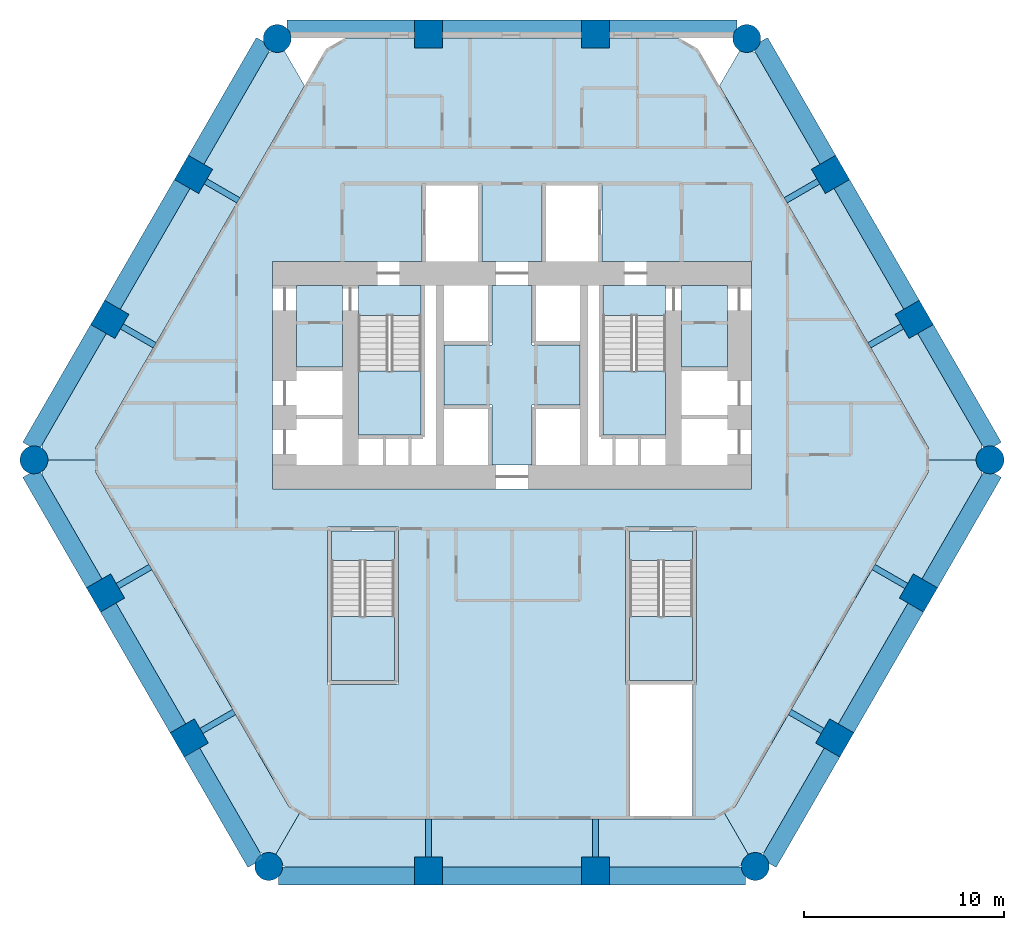
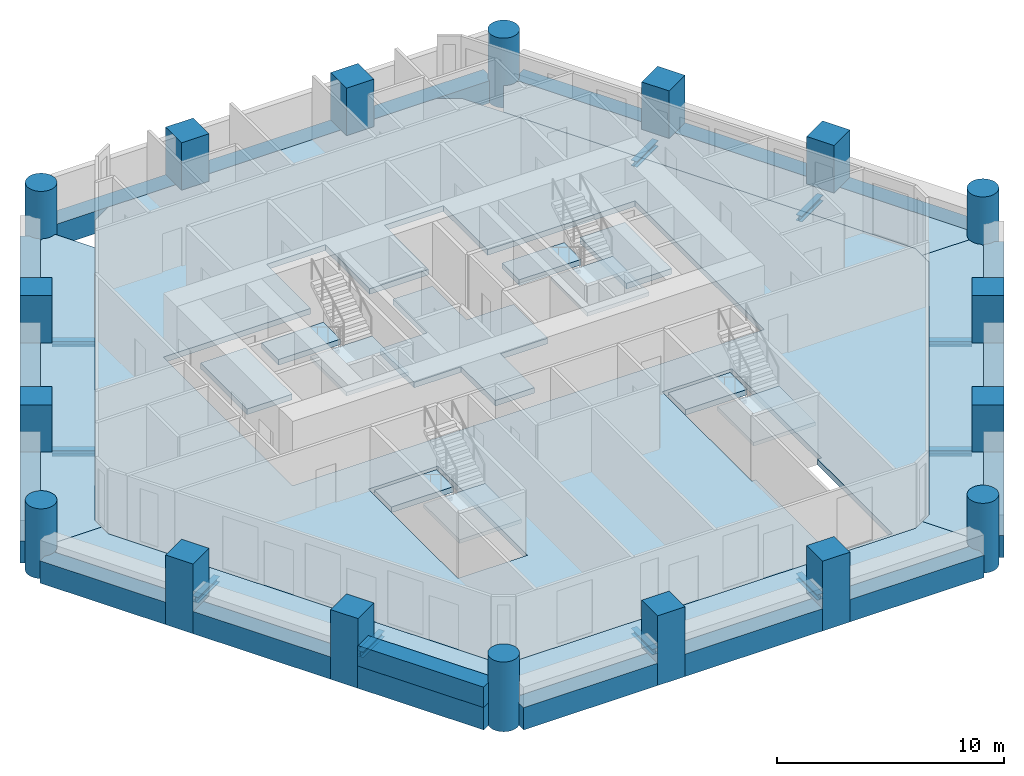
# One storey, part 1 of 8: 28 beams, 18 columns, 17 slabs, 1 wall, 4 elements without a shape of their own.
"""IFC4 building model written with IfcOpenShell, lengths in metres."""

from ifc_helpers import new_model, si_unit, direction, frame, frame_2d, origin, origin_2d, place, context, subcontext, project, spatial, polyline, rectangle, circle, i_section, outline, extrude, material, layer, layer_set, material_profile, profile_set, type_object, element, aggregate, save


model = new_model("IFC4")

# Units and contexts
model_context = context("Model", 3, precision=1e-05, world=origin(), true_north=direction((0.0, 1.0)))
body_context = subcontext(model_context, "Body", "Model", "MODEL_VIEW")
ifc_project = project(units=[si_unit("LENGTHUNIT", "METRE"), si_unit("AREAUNIT", "SQUARE_METRE"), si_unit("VOLUMEUNIT", "CUBIC_METRE"), si_unit("PLANEANGLEUNIT", "RADIAN"), si_unit("MASSUNIT", "GRAM", prefix="KILO")], contexts=[model_context])

# Site, building, storey
site_placement = place(None, origin())
site = spatial("IfcSite", under=ifc_project, at=site_placement, CompositionType="ELEMENT")
building_placement = place(site_placement, origin())
building = spatial("IfcBuilding", under=site, at=building_placement, Name="Ostrander Bayou Hotel Tower", CompositionType="ELEMENT")
storey_placement = place(building_placement, frame((0.0, 0.0, 43.0)))
storey = spatial("IfcBuildingStorey", under=building, at=storey_placement, Name="L10", CompositionType="ELEMENT", Elevation=43.0)

# Columns
ifc_material_1 = material(Name="Concrete f'c 70 MPa", Category="concrete")
ifc_material_profile_1 = material_profile(ifc_material_1, circle(Radius=0.699951171875, at=origin_2d()))
ifc_profile_set_1 = profile_set([ifc_material_profile_1], Name="Concrete f'c 70 MPa")
column_type_1 = type_object("IfcColumnType", Name="C1 round column 1400 mm f'c 70 MPa", PredefinedType="COLUMN", material=ifc_profile_set_1)
for number, where, z_axis, x_axis, name in (
    (1, (-11.76708984375, 20.872314453125, -1.199951171875), (0.0, 0.0, 1.0), (1.0, 0.0, 0.0), "C1 L10 K0"),
    (2, (-23.95947265625, -0.24560546875, -1.199951171875), (0.0, 0.0, 1.0), (1.0, 0.0, 0.0), "C1 L10 K1"),
    (3, (-12.1923828125, -20.626708984375, -1.199951171875), (0.0, 0.0, 1.0), (1.0, 0.0, 0.0), "C1 L10 K2"),
    (4, (12.1923828125, -20.626708984375, -1.199951171875), (0.0, 0.0, 1.0), (1.0, 0.0, 0.0), "C1 L10 K3"),
    (5, (23.95947265625, -0.24560546875, -1.199951171875), (0.0, 0.0, 1.0), (1.0, 0.0, 0.0), "C1 L10 K4"),
    (6, (11.76708984375, 20.872314453125, -1.199951171875), (0.0, 0.0, 1.0), (1.0, 0.0, 0.0), "C1 L10 K5"),
):
    element("IfcColumn", number, at=place(storey_placement, frame(where, z_axis=z_axis, x_axis=x_axis)), inside=storey, type_object=column_type_1, Name=name, PredefinedType="COLUMN", context=body_context, shape_type="SweptSolid", body=[
        extrude(circle(Radius=0.699951171875, at=origin_2d()), origin(), (0.0, 0.0, 1.0), 3.75),
    ])
ifc_material_2 = material(Name="Concrete f'c 70 MPa", Category="concrete")
ifc_material_profile_2 = material_profile(ifc_material_2, rectangle(XDim=1.39990234375, YDim=1.39990234375, at=origin_2d()))
ifc_profile_set_2 = profile_set([ifc_material_profile_2], Name="Concrete f'c 70 MPa")
column_type_2 = type_object("IfcColumnType", Name="C2 square column 1400 x 1400 mm f'c 70 MPa", PredefinedType="COLUMN", material=ifc_profile_set_2)
for number, where, z_axis, x_axis, name in (
    (7, (4.1953125, 21.10009765625, -1.199951171875), (0.0, 0.0, 1.0), (1.0, 0.0, 0.0), "C2 L10 N1"),
    (8, (-4.1953125, 21.10009765625, -1.199951171875), (0.0, 0.0, 1.0), (1.0, 0.0, 0.0), "C2 L10 N2"),
    (9, (-15.962890625, 14.060546875, -1.199951171875), (0.0, 0.0, 1.0), (0.5, 0.866025403784, 0.0), "C2 L10 NW1"),
    (10, (-20.158203125, 6.7939453125, -1.199951171875), (0.0, 0.0, 1.0), (0.5, 0.866025403784, 0.0), "C2 L10 NW2"),
    (11, (-20.370849609375, -6.916748046875, -1.199951171875), (0.0, 0.0, 1.0), (-0.5, 0.866025403784, 0.0), "C2 L10 SW1"),
    (12, (-16.17529296875, -14.183349609375, -1.199951171875), (0.0, 0.0, 1.0), (-0.5, 0.866025403784, 0.0), "C2 L10 SW2"),
    (13, (-4.1953125, -20.8544921875, -1.199951171875), (0.0, 0.0, 1.0), (-1.0, 0.0, 0.0), "C2 L10 S1"),
    (14, (4.1953125, -20.8544921875, -1.199951171875), (0.0, 0.0, 1.0), (-1.0, 0.0, 0.0), "C2 L10 S2"),
    (15, (16.17529296875, -14.183349609375, -1.199951171875), (0.0, 0.0, 1.0), (-0.5, -0.866025403784, 0.0), "C2 L10 SE1"),
    (16, (20.370849609375, -6.916748046875, -1.199951171875), (0.0, 0.0, 1.0), (-0.5, -0.866025403784, 0.0), "C2 L10 SE2"),
    (17, (20.158203125, 6.7939453125, -1.199951171875), (0.0, 0.0, 1.0), (0.5, -0.866025403784, 0.0), "C2 L10 NE1"),
    (18, (15.962890625, 14.060546875, -1.199951171875), (0.0, 0.0, 1.0), (0.5, -0.866025403784, 0.0), "C2 L10 NE2"),
):
    element("IfcColumn", number, at=place(storey_placement, frame(where, z_axis=z_axis, x_axis=x_axis)), inside=storey, type_object=column_type_2, Name=name, PredefinedType="COLUMN", context=body_context, shape_type="SweptSolid", body=[
        extrude(rectangle(XDim=1.39990234375, YDim=1.39990234375, at=origin_2d()), origin(), (0.0, 0.0, 1.0), 3.75),
    ])

# Beams
ifc_material_3 = material(Name="Steel ASTM A992", Category="steel")
ifc_material_profile_3 = material_profile(ifc_material_3, i_section(OverallWidth=0.3046875, OverallDepth=0.307861328125, WebThickness=0.010009765625, FlangeThickness=0.015380859375, at=origin_2d()))
ifc_profile_set_3 = profile_set([ifc_material_profile_3], Name="Steel ASTM A992")
beam_type_1 = type_object("IfcBeamType", Name="LB1 loggia bracket W12x65", PredefinedType="BEAM", material=ifc_profile_set_3)
for number, where, z_axis, x_axis, name in (
    (19, (-15.356689453125, 13.710693359375, -0.453857421875), (0.865988727248, -0.500063520245, 0.0), (0.500063520245, 0.865988727248, 0.0), "LB1 L10 NW1"),
    (20, (-19.552001953125, 6.44384765625, -0.453857421875), (0.866044365799, -0.499967155389, 0.0), (0.499967155389, 0.866044365799, 0.0), "LB1 L10 NW2"),
    (21, (-19.7646484375, -6.566650390625, -0.453857421875), (0.866044365799, 0.499967155389, 0.0), (-0.499967155389, 0.866044365799, 0.0), "LB1 L10 SW1"),
):
    element("IfcBeam", number, at=place(storey_placement, frame(where, z_axis=z_axis, x_axis=x_axis)), inside=storey, type_object=beam_type_1, Name=name, PredefinedType="BEAM", context=body_context, shape_type="SweptSolid", body=[
        extrude(i_section(OverallWidth=0.3046875, OverallDepth=0.307861328125, WebThickness=0.010009765625, FlangeThickness=0.015380859375, at=origin_2d()), origin(), (0.0, 0.0, 1.0), 1.900146484375),
    ])
beam_1_placement = place(storey_placement, frame((-15.569091796875, -13.833251953125, -0.453857421875), z_axis=(0.86601224135, 0.500022797313, 0.0), x_axis=(-0.500022797313, 0.86601224135, 0.0)))
element("IfcBeam", 22, at=beam_1_placement, inside=storey, type_object=beam_type_1, Name="LB1 L10 SW2", PredefinedType="BEAM", context=body_context, shape_type="SweptSolid", body=[
    extrude(i_section(OverallWidth=0.3046875, OverallDepth=0.307861328125, WebThickness=0.010009765625, FlangeThickness=0.015380859375, at=origin_2d()), origin(), (0.0, 0.0, 1.0), 1.89990234375),
])
for number, where, z_axis, x_axis, name in (
    (23, (-4.1953125, -20.154541015625, -0.453857421875), (0.0, 1.0, 0.0), (-1.0, 0.0, 0.0), "LB1 L10 S1"),
    (24, (4.1953125, -20.154541015625, -0.453857421875), (0.0, 1.0, 0.0), (-1.0, 0.0, 0.0), "LB1 L10 S2"),
):
    element("IfcBeam", number, at=place(storey_placement, frame(where, z_axis=z_axis, x_axis=x_axis)), inside=storey, type_object=beam_type_1, Name=name, PredefinedType="BEAM", context=body_context, shape_type="SweptSolid", body=[
        extrude(i_section(OverallWidth=0.3046875, OverallDepth=0.307861328125, WebThickness=0.010009765625, FlangeThickness=0.015380859375, at=origin_2d()), origin(), (0.0, 0.0, 1.0), 1.900146484375),
    ])
beam_2_placement = place(storey_placement, frame((15.569091796875, -13.833251953125, -0.453857421875), z_axis=(-0.86601224135, 0.500022797313, 0.0), x_axis=(-0.500022797313, -0.86601224135, 0.0)))
element("IfcBeam", 25, at=beam_2_placement, inside=storey, type_object=beam_type_1, Name="LB1 L10 SE1", PredefinedType="BEAM", context=body_context, shape_type="SweptSolid", body=[
    extrude(i_section(OverallWidth=0.3046875, OverallDepth=0.307861328125, WebThickness=0.010009765625, FlangeThickness=0.015380859375, at=origin_2d()), origin(), (0.0, 0.0, 1.0), 1.89990234375),
])
for number, where, z_axis, x_axis, name in (
    (26, (19.7646484375, -6.566650390625, -0.453857421875), (-0.866044365799, 0.499967155389, 0.0), (-0.499967155389, -0.866044365799, 0.0), "LB1 L10 SE2"),
    (27, (19.552001953125, 6.44384765625, -0.453857421875), (-0.866044365799, -0.499967155389, 0.0), (0.499967155389, -0.866044365799, 0.0), "LB1 L10 NE1"),
    (28, (15.356689453125, 13.710693359375, -0.453857421875), (-0.865988727248, -0.500063520245, 0.0), (0.500063520245, -0.865988727248, 0.0), "LB1 L10 NE2"),
):
    element("IfcBeam", number, at=place(storey_placement, frame(where, z_axis=z_axis, x_axis=x_axis)), inside=storey, type_object=beam_type_1, Name=name, PredefinedType="BEAM", context=body_context, shape_type="SweptSolid", body=[
        extrude(i_section(OverallWidth=0.3046875, OverallDepth=0.307861328125, WebThickness=0.010009765625, FlangeThickness=0.015380859375, at=origin_2d()), origin(), (0.0, 0.0, 1.0), 1.900146484375),
    ])
ifc_material_4 = material(Name="Concrete f'c 70 MPa", Category="concrete")
ifc_material_profile_4 = material_profile(ifc_material_4, rectangle(XDim=0.89990234375, YDim=1.199951171875, at=origin_2d()))
ifc_profile_set_4 = profile_set([ifc_material_profile_4], Name="Concrete f'c 70 MPa")
beam_type_2 = type_object("IfcBeamType", Name="SP1 spandrel beam 900 x 1200 mm f'c 70 MPa", PredefinedType="SPANDREL", material=ifc_profile_set_4)
beam_3_placement = place(storey_placement, frame((11.285400390625, 21.35009765625, -0.60009765625), z_axis=(-1.0, 0.0, 0.0), x_axis=(0.0, -1.0, 0.0)))
element("IfcBeam", 29, at=beam_3_placement, inside=storey, type_object=beam_type_2, Name="SP1 L10 N-1", PredefinedType="SPANDREL", context=body_context, shape_type="SweptSolid", body=[
    extrude(rectangle(XDim=0.89990234375, YDim=1.199951171875, at=origin_2d()), origin(), (0.0, 0.0, 1.0), 6.419921875),
])
beam_4_placement = place(storey_placement, frame((3.525390625, 21.35009765625, -0.60009765625), z_axis=(-1.0, 0.0, 0.0), x_axis=(0.0, -1.0, 0.0)))
element("IfcBeam", 30, at=beam_4_placement, inside=storey, type_object=beam_type_2, Name="SP1 L10 N-2", PredefinedType="SPANDREL", context=body_context, shape_type="SweptSolid", body=[
    extrude(rectangle(XDim=0.89990234375, YDim=1.199951171875, at=origin_2d()), origin(), (0.0, 0.0, 1.0), 7.05078125),
])
beam_5_placement = place(storey_placement, frame((-4.865478515625, 21.35009765625, -0.60009765625), z_axis=(-1.0, 0.0, 0.0), x_axis=(0.0, -1.0, 0.0)))
element("IfcBeam", 31, at=beam_5_placement, inside=storey, type_object=beam_type_2, Name="SP1 L10 N-3", PredefinedType="SPANDREL", context=body_context, shape_type="SweptSolid", body=[
    extrude(rectangle(XDim=0.89990234375, YDim=1.199951171875, at=origin_2d()), origin(), (0.0, 0.0, 1.0), 6.419921875),
])
beam_6_placement = place(storey_placement, frame((-12.421630859375, 20.694091796875, -0.60009765625), z_axis=(-0.499994135611, -0.866028789565, 0.0), x_axis=(0.866028789565, -0.499994135611, 0.0)))
element("IfcBeam", 32, at=beam_6_placement, inside=storey, type_object=beam_type_2, Name="SP1 L10 NW-1", PredefinedType="SPANDREL", context=body_context, shape_type="SweptSolid", body=[
    extrude(rectangle(XDim=0.89990234375, YDim=1.199951171875, at=origin_2d()), origin(), (0.0, 0.0, 1.0), 6.84521484375),
])
beam_7_placement = place(storey_placement, frame((-16.514404296875, 13.60546875, -0.60009765625), z_axis=(-0.499997206141, -0.866027016814, 0.0), x_axis=(0.866027016814, -0.499997206141, 0.0)))
element("IfcBeam", 33, at=beam_7_placement, inside=storey, type_object=beam_type_2, Name="SP1 L10 NW-2", PredefinedType="SPANDREL", context=body_context, shape_type="SweptSolid", body=[
    extrude(rectangle(XDim=0.89990234375, YDim=1.199951171875, at=origin_2d()), origin(), (0.0, 0.0, 1.0), 7.05078125),
])
beam_8_placement = place(storey_placement, frame((-20.709716796875, 6.338623046875, -0.60009765625), z_axis=(-0.499994135611, -0.866028789565, 0.0), x_axis=(0.866028789565, -0.499994135611, 0.0)))
element("IfcBeam", 34, at=beam_8_placement, inside=storey, type_object=beam_type_2, Name="SP1 L10 NW-3", PredefinedType="SPANDREL", context=body_context, shape_type="SweptSolid", body=[
    extrude(rectangle(XDim=0.89990234375, YDim=1.199951171875, at=origin_2d()), origin(), (0.0, 0.0, 1.0), 6.84521484375),
])
beam_9_placement = place(storey_placement, frame((-24.13232421875, -0.9013671875, -0.60009765625), z_axis=(0.499983599745, -0.866034872269, 0.0), x_axis=(0.866034872269, 0.499983599745, 0.0)))
element("IfcBeam", 35, at=beam_9_placement, inside=storey, type_object=beam_type_2, Name="SP1 L10 SW-1", PredefinedType="SPANDREL", context=body_context, shape_type="SweptSolid", body=[
    extrude(rectangle(XDim=0.89990234375, YDim=1.199951171875, at=origin_2d()), origin(), (0.0, 0.0, 1.0), 6.420166015625),
])
beam_10_placement = place(storey_placement, frame((-20.252197265625, -7.621826171875, -0.60009765625), z_axis=(0.499997206141, -0.866027016814, 0.0), x_axis=(0.866027016814, 0.499997206141, 0.0)))
element("IfcBeam", 36, at=beam_10_placement, inside=storey, type_object=beam_type_2, Name="SP1 L10 SW-2", PredefinedType="SPANDREL", context=body_context, shape_type="SweptSolid", body=[
    extrude(rectangle(XDim=0.89990234375, YDim=1.199951171875, at=origin_2d()), origin(), (0.0, 0.0, 1.0), 7.05078125),
])
beam_11_placement = place(storey_placement, frame((-16.056884765625, -14.888671875, -0.60009765625), z_axis=(0.500000066162, -0.866025365586, 0.0), x_axis=(0.866025365586, 0.500000066162, 0.0)))
element("IfcBeam", 37, at=beam_11_placement, inside=storey, type_object=beam_type_2, Name="SP1 L10 SW-3", PredefinedType="SPANDREL", context=body_context, shape_type="SweptSolid", body=[
    extrude(rectangle(XDim=0.89990234375, YDim=1.199951171875, at=origin_2d()), origin(), (0.0, 0.0, 1.0), 6.419921875),
])
beam_12_placement = place(storey_placement, frame((-11.710693359375, -21.1044921875, -0.60009765625), z_axis=(1.0, 0.0, 0.0), x_axis=(0.0, 1.0, 0.0)))
element("IfcBeam", 38, at=beam_12_placement, inside=storey, type_object=beam_type_2, Name="SP1 L10 S-1", PredefinedType="SPANDREL", context=body_context, shape_type="SweptSolid", body=[
    extrude(rectangle(XDim=0.89990234375, YDim=1.199951171875, at=origin_2d()), origin(), (0.0, 0.0, 1.0), 6.84521484375),
])
beam_13_placement = place(storey_placement, frame((-3.525390625, -21.1044921875, -0.60009765625), z_axis=(1.0, 0.0, 0.0), x_axis=(0.0, 1.0, 0.0)))
element("IfcBeam", 39, at=beam_13_placement, inside=storey, type_object=beam_type_2, Name="SP1 L10 S-2", PredefinedType="SPANDREL", context=body_context, shape_type="SweptSolid", body=[
    extrude(rectangle(XDim=0.89990234375, YDim=1.199951171875, at=origin_2d()), origin(), (0.0, 0.0, 1.0), 7.05078125),
])
beam_14_placement = place(storey_placement, frame((4.865478515625, -21.1044921875, -0.60009765625), z_axis=(1.0, 0.0, 0.0), x_axis=(0.0, 1.0, 0.0)))
element("IfcBeam", 40, at=beam_14_placement, inside=storey, type_object=beam_type_2, Name="SP1 L10 S-3", PredefinedType="SPANDREL", context=body_context, shape_type="SweptSolid", body=[
    extrude(rectangle(XDim=0.89990234375, YDim=1.199951171875, at=origin_2d()), origin(), (0.0, 0.0, 1.0), 6.84521484375),
])
beam_15_placement = place(storey_placement, frame((12.846923828125, -20.448486328125, -0.60009765625), z_axis=(0.500000066162, 0.866025365586, 0.0), x_axis=(-0.866025365586, 0.500000066162, 0.0)))
element("IfcBeam", 41, at=beam_15_placement, inside=storey, type_object=beam_type_2, Name="SP1 L10 SE-1", PredefinedType="SPANDREL", context=body_context, shape_type="SweptSolid", body=[
    extrude(rectangle(XDim=0.89990234375, YDim=1.199951171875, at=origin_2d()), origin(), (0.0, 0.0, 1.0), 6.419921875),
])
beam_16_placement = place(storey_placement, frame((16.726806640625, -13.72802734375, -0.60009765625), z_axis=(0.499997206141, 0.866027016814, 0.0), x_axis=(-0.866027016814, 0.499997206141, 0.0)))
element("IfcBeam", 42, at=beam_16_placement, inside=storey, type_object=beam_type_2, Name="SP1 L10 SE-2", PredefinedType="SPANDREL", context=body_context, shape_type="SweptSolid", body=[
    extrude(rectangle(XDim=0.89990234375, YDim=1.199951171875, at=origin_2d()), origin(), (0.0, 0.0, 1.0), 7.05078125),
])
beam_17_placement = place(storey_placement, frame((20.92236328125, -6.46142578125, -0.60009765625), z_axis=(0.499983599745, 0.866034872269, 0.0), x_axis=(-0.866034872269, 0.499983599745, 0.0)))
element("IfcBeam", 43, at=beam_17_placement, inside=storey, type_object=beam_type_2, Name="SP1 L10 SE-3", PredefinedType="SPANDREL", context=body_context, shape_type="SweptSolid", body=[
    extrude(rectangle(XDim=0.89990234375, YDim=1.199951171875, at=origin_2d()), origin(), (0.0, 0.0, 1.0), 6.420166015625),
])
beam_18_placement = place(storey_placement, frame((24.13232421875, 0.410400390625, -0.60009765625), z_axis=(-0.499994135611, 0.866028789565, 0.0), x_axis=(-0.866028789565, -0.499994135611, 0.0)))
element("IfcBeam", 44, at=beam_18_placement, inside=storey, type_object=beam_type_2, Name="SP1 L10 NE-1", PredefinedType="SPANDREL", context=body_context, shape_type="SweptSolid", body=[
    extrude(rectangle(XDim=0.89990234375, YDim=1.199951171875, at=origin_2d()), origin(), (0.0, 0.0, 1.0), 6.84521484375),
])
beam_19_placement = place(storey_placement, frame((20.039794921875, 7.499267578125, -0.60009765625), z_axis=(-0.499997206141, 0.866027016814, 0.0), x_axis=(-0.866027016814, -0.499997206141, 0.0)))
element("IfcBeam", 45, at=beam_19_placement, inside=storey, type_object=beam_type_2, Name="SP1 L10 NE-2", PredefinedType="SPANDREL", context=body_context, shape_type="SweptSolid", body=[
    extrude(rectangle(XDim=0.89990234375, YDim=1.199951171875, at=origin_2d()), origin(), (0.0, 0.0, 1.0), 7.05078125),
])
beam_20_placement = place(storey_placement, frame((15.84423828125, 14.765869140625, -0.60009765625), z_axis=(-0.499994135611, 0.866028789565, 0.0), x_axis=(-0.866028789565, -0.499994135611, 0.0)))
element("IfcBeam", 46, at=beam_20_placement, inside=storey, type_object=beam_type_2, Name="SP1 L10 NE-3", PredefinedType="SPANDREL", context=body_context, shape_type="SweptSolid", body=[
    extrude(rectangle(XDim=0.89990234375, YDim=1.199951171875, at=origin_2d()), origin(), (0.0, 0.0, 1.0), 6.84521484375),
])

# Slabs
ifc_material_5 = material(Name="Concrete f'c 40 MPa", Category="concrete")
ifc_layer_1 = layer(ifc_material_5, 0.300048828125)
ifc_layer_set_1 = layer_set([ifc_layer_1], Name="SL1 floor slab 300 mm f'c 40 MPa")
slab_type_1 = type_object("IfcSlabType", Name="SL1 floor slab 300 mm f'c 40 MPa", PredefinedType="FLOOR", material=ifc_layer_set_1)
slab_1_placement = place(storey_placement, frame((0.0, 0.0, -0.300048828125)))
element("IfcSlab", 47, at=slab_1_placement, inside=storey, type_object=slab_type_1, Name="SL1 L10 1", PredefinedType="FLOOR", context=body_context, shape_type="SweptSolid", body=[
    extrude(outline(polyline([(-3.525390625, 20.89990234375), (3.525390625, 20.89990234375), (4.865478515625, 20.89990234375), (8.319091796875, 20.89990234375), (9.3583984375, 20.300048828125), (20.873779296875, 0.3544921875), (20.873779296875, -0.845458984375), (11.169189453125, -17.654541015625), (10.1298828125, -18.25439453125), (-10.1298828125, -18.25439453125), (-11.169189453125, -17.654541015625), (-20.873779296875, -0.845458984375), (-20.873779296875, 0.3544921875), (-9.3583984375, 20.300048828125), (-8.319091796875, 20.89990234375), (-4.865478515625, 20.89990234375), (-3.525390625, 20.89990234375)]), holes=[polyline([(-12.0, -1.699951171875), (12.0, -1.699951171875), (12.0, 9.699951171875), (4.5, 9.699951171875), (4.5, 13.60009765625), (1.5, 13.60009765625), (1.5, 9.699951171875), (-1.5, 9.699951171875), (-1.5, 13.60009765625), (-4.5, 13.60009765625), (-4.5, 9.699951171875), (-12.0, 9.699951171875), (-12.0, -1.699951171875)]), polyline([(9.050048828125, -11.5), (9.25, -11.5), (9.25, -3.60009765625), (5.699951171875, -3.60009765625), (5.699951171875, -11.5), (5.89990234375, -11.5), (5.89990234375, -18.1044921875), (9.050048828125, -18.1044921875), (9.050048828125, -11.5)]), polyline([(-5.699951171875, -3.60009765625), (-9.25, -3.60009765625), (-9.25, -11.5), (-5.699951171875, -11.5), (-5.699951171875, -3.60009765625)])]), origin(), (0.0, 0.0, 1.0), 0.300048828125),
])
slab_2_placement = place(storey_placement, frame((0.0, 0.0, -0.300048828125)))
element("IfcSlab", 48, at=slab_2_placement, inside=storey, type_object=slab_type_1, Name="cslab:L10:001", PredefinedType="FLOOR", context=body_context, shape_type="SweptSolid", body=[
    extrude(outline(polyline([(-3.39990234375, 5.5), (-1.0, 5.5), (-1.0, 8.5), (1.0, 8.5), (1.0, 5.5), (3.39990234375, 5.5), (3.39990234375, 2.5), (1.0, 2.5), (1.0, -0.5), (-1.0, -0.5), (-1.0, 2.5), (-3.39990234375, 2.5), (-3.39990234375, 5.5)])), origin(), (0.0, 0.0, 1.0), 0.300048828125),
])
slab_3_placement = place(storey_placement, frame((0.0, 0.0, -0.300048828125)))
element("IfcSlab", 49, at=slab_3_placement, inside=storey, type_object=slab_type_1, Name="cslab:L10:002", PredefinedType="FLOOR", context=body_context, shape_type="SweptSolid", body=[
    extrude(outline(polyline([(-8.5, 4.39990234375), (-8.5, 8.5), (-10.800048828125, 8.5), (-10.800048828125, 4.39990234375), (-8.5, 4.39990234375)])), origin(), (0.0, 0.0, 1.0), 0.300048828125),
])
slab_4_placement = place(storey_placement, frame((0.0, 0.0, -0.300048828125)))
element("IfcSlab", 50, at=slab_4_placement, inside=storey, type_object=slab_type_1, Name="cslab:L10:003", PredefinedType="FLOOR", context=body_context, shape_type="SweptSolid", body=[
    extrude(outline(polyline([(10.800048828125, 4.39990234375), (10.800048828125, 8.5), (8.5, 8.5), (8.5, 4.39990234375), (10.800048828125, 4.39990234375)])), origin(), (0.0, 0.0, 1.0), 0.300048828125),
])
slab_5_placement = place(storey_placement, frame((0.0, 0.0, -0.300048828125)))
element("IfcSlab", 51, at=slab_5_placement, inside=storey, type_object=slab_type_1, Name="cslab:L10:004", PredefinedType="FLOOR", context=body_context, shape_type="SweptSolid", body=[
    extrude(outline(polyline([(-4.550048828125, 7.0), (-4.550048828125, 8.5), (-7.699951171875, 8.5), (-7.699951171875, 7.0), (-4.550048828125, 7.0)])), origin(), (0.0, 0.0, 1.0), 0.300048828125),
])
slab_6_placement = place(storey_placement, frame((0.0, 0.0, -0.300048828125)))
element("IfcSlab", 52, at=slab_6_placement, inside=storey, type_object=slab_type_1, Name="cslab:L10:005", PredefinedType="FLOOR", context=body_context, shape_type="SweptSolid", body=[
    extrude(outline(polyline([(7.699951171875, 7.0), (7.699951171875, 8.5), (4.550048828125, 8.5), (4.550048828125, 7.0), (7.699951171875, 7.0)])), origin(), (0.0, 0.0, 1.0), 0.300048828125),
])
slab_7_placement = place(storey_placement, frame((0.0, 0.0, -0.300048828125)))
element("IfcSlab", 53, at=slab_7_placement, inside=storey, type_object=slab_type_1, Name="cslab:L10:006", PredefinedType="FLOOR", context=body_context, shape_type="SweptSolid", body=[
    extrude(outline(polyline([(9.050048828125, -5.300048828125), (9.050048828125, -3.800048828125), (5.89990234375, -3.800048828125), (5.89990234375, -5.300048828125), (9.050048828125, -5.300048828125)])), origin(), (0.0, 0.0, 1.0), 0.300048828125),
])
slab_8_placement = place(storey_placement, frame((0.0, 0.0, -0.300048828125)))
element("IfcSlab", 54, at=slab_8_placement, inside=storey, type_object=slab_type_1, Name="cslab:L10:007", PredefinedType="FLOOR", context=body_context, shape_type="SweptSolid", body=[
    extrude(outline(polyline([(-5.89990234375, -5.300048828125), (-5.89990234375, -3.800048828125), (-9.050048828125, -3.800048828125), (-9.050048828125, -5.300048828125), (-5.89990234375, -5.300048828125)])), origin(), (0.0, 0.0, 1.0), 0.300048828125),
])
ifc_material_6 = material(Name="Concrete f'c 40 MPa", Category="concrete")
ifc_layer_2 = layer(ifc_material_6, 0.300048828125)
ifc_layer_set_2 = layer_set([ifc_layer_2], Name="SL4 loggia slab 300 mm f'c 40 MPa")
slab_type_2 = type_object("IfcSlabType", Name="SL4 loggia slab 300 mm f'c 40 MPa", PredefinedType="FLOOR", material=ifc_layer_set_2)
slab_9_placement = place(storey_placement, frame((0.0, 0.0, -0.300048828125)))
element("IfcSlab", 55, at=slab_9_placement, inside=storey, type_object=slab_type_2, Name="SL4 LOGGIA L10 NW 1", PredefinedType="FLOOR", context=body_context, shape_type="SweptSolid", body=[
    extrude(outline(polyline([(-23.259521484375, -0.24560546875), (-23.27294921875, -0.10888671875), (-23.312744140625, 0.0224609375), (-23.37744140625, 0.143310546875), (-23.464599609375, 0.24951171875), (-23.55859375, 0.32666015625), (-23.55859375, 0.50439453125), (-12.21630859375, 20.14990234375), (-12.061279296875, 20.239501953125), (-12.034912109375, 20.2255859375), (-11.90380859375, 20.185791015625), (-11.76708984375, 20.172119140625), (-11.630615234375, 20.185791015625), (-11.499267578125, 20.2255859375), (-11.418701171875, 20.2685546875), (-10.3974609375, 18.5), (-20.873779296875, 0.3544921875), (-20.873779296875, -0.24560546875), (-23.259521484375, -0.24560546875)])), origin(), (0.0, 0.0, 1.0), 0.300048828125),
])
slab_10_placement = place(storey_placement, frame((0.0, 0.0, -0.300048828125)))
element("IfcSlab", 56, at=slab_10_placement, inside=storey, type_object=slab_type_2, Name="SL4 LOGGIA L10 SW 1", PredefinedType="FLOOR", context=body_context, shape_type="SweptSolid", body=[
    extrude(outline(polyline([(-10.6494140625, -17.95458984375), (-11.84375, -20.023193359375), (-11.92431640625, -19.97998046875), (-12.055908203125, -19.940185546875), (-12.1923828125, -19.9267578125), (-12.328857421875, -19.940185546875), (-12.460205078125, -19.97998046875), (-12.486328125, -19.993896484375), (-12.641357421875, -19.904541015625), (-15.667236328125, -14.66357421875), (-16.337158203125, -13.503173828125), (-19.862548828125, -7.39697265625), (-20.53271484375, -6.236328125), (-23.55859375, -0.99560546875), (-23.55859375, -0.817626953125), (-23.464599609375, -0.740478515625), (-23.37744140625, -0.634521484375), (-23.312744140625, -0.513427734375), (-23.27294921875, -0.382080078125), (-23.259521484375, -0.24560546875), (-20.873779296875, -0.24560546875), (-20.873779296875, -0.845458984375), (-11.169189453125, -17.654541015625), (-10.6494140625, -17.95458984375)])), origin(), (0.0, 0.0, 1.0), 0.300048828125),
])
slab_11_placement = place(storey_placement, frame((0.0, 0.0, -0.300048828125)))
element("IfcSlab", 57, at=slab_11_placement, inside=storey, type_object=slab_type_2, Name="SL4 LOGGIA L10 S 1", PredefinedType="FLOOR", context=body_context, shape_type="SweptSolid", body=[
    extrude(outline(polyline([(10.6494140625, -17.95458984375), (11.84375, -20.023193359375), (11.803466796875, -20.044677734375), (11.697265625, -20.1318359375), (11.6103515625, -20.23779296875), (11.545654296875, -20.35888671875), (11.505859375, -20.490234375), (11.49853515625, -20.564453125), (11.34228515625, -20.654541015625), (4.865478515625, -20.654541015625), (3.525390625, -20.654541015625), (-3.525390625, -20.654541015625), (-4.865478515625, -20.654541015625), (-11.34228515625, -20.654541015625), (-11.49853515625, -20.564453125), (-11.505859375, -20.490234375), (-11.545654296875, -20.35888671875), (-11.6103515625, -20.23779296875), (-11.697265625, -20.1318359375), (-11.803466796875, -20.044677734375), (-11.84375, -20.023193359375), (-10.6494140625, -17.95458984375), (-10.1298828125, -18.25439453125), (10.1298828125, -18.25439453125), (10.6494140625, -17.95458984375)])), origin(), (0.0, 0.0, 1.0), 0.300048828125),
])
slab_12_placement = place(storey_placement, frame((0.0, 0.0, -0.300048828125)))
element("IfcSlab", 58, at=slab_12_placement, inside=storey, type_object=slab_type_2, Name="SL4 LOGGIA L10 SE 1", PredefinedType="FLOOR", context=body_context, shape_type="SweptSolid", body=[
    extrude(outline(polyline([(20.873779296875, -0.24560546875), (23.259521484375, -0.24560546875), (23.27294921875, -0.382080078125), (23.312744140625, -0.513427734375), (23.37744140625, -0.634521484375), (23.464599609375, -0.740478515625), (23.55859375, -0.817626953125), (23.55859375, -0.99560546875), (20.53271484375, -6.236328125), (19.862548828125, -7.39697265625), (16.337158203125, -13.503173828125), (15.667236328125, -14.66357421875), (12.641357421875, -19.904541015625), (12.486328125, -19.993896484375), (12.460205078125, -19.97998046875), (12.328857421875, -19.940185546875), (12.1923828125, -19.9267578125), (12.055908203125, -19.940185546875), (11.92431640625, -19.97998046875), (11.84375, -20.023193359375), (10.6494140625, -17.95458984375), (11.169189453125, -17.654541015625), (20.873779296875, -0.845458984375), (20.873779296875, -0.24560546875)])), origin(), (0.0, 0.0, 1.0), 0.300048828125),
])
slab_13_placement = place(storey_placement, frame((0.0, 0.0, -0.300048828125)))
element("IfcSlab", 59, at=slab_13_placement, inside=storey, type_object=slab_type_2, Name="SL4 LOGGIA L10 NE 1", PredefinedType="FLOOR", context=body_context, shape_type="SweptSolid", body=[
    extrude(outline(polyline([(11.418701171875, 20.2685546875), (11.499267578125, 20.2255859375), (11.630615234375, 20.185791015625), (11.76708984375, 20.172119140625), (11.90380859375, 20.185791015625), (12.034912109375, 20.2255859375), (12.061279296875, 20.239501953125), (12.21630859375, 20.14990234375), (23.55859375, 0.50439453125), (23.55859375, 0.32666015625), (23.464599609375, 0.24951171875), (23.37744140625, 0.143310546875), (23.312744140625, 0.0224609375), (23.27294921875, -0.10888671875), (23.259521484375, -0.24560546875), (20.873779296875, -0.24560546875), (20.873779296875, 0.3544921875), (10.3974609375, 18.5), (11.418701171875, 20.2685546875)])), origin(), (0.0, 0.0, 1.0), 0.300048828125),
])

# Stair, slab
ifc_material_7 = material(Name="Concrete f'c 45 MPa", Category="concrete")
stair_type = type_object("IfcStairType", Name="ST1 exit stair 1500 mm f'c 45 MPa", PredefinedType="HALF_TURN_STAIR", material=ifc_material_7)
stair_1_placement = place(storey_placement, origin())
stair_1 = element("IfcStair", 60, at=stair_1_placement, inside=storey, type_object=stair_type, Name="L10 exit stair A", PredefinedType="HALF_TURN_STAIR")
ifc_material_8 = material(Name="Concrete f'c 45 MPa", Category="concrete")
ifc_layer_3 = layer(ifc_material_8, 0.199951171875)
ifc_layer_set_3 = layer_set([ifc_layer_3], Name="SL8 stair landing 200 mm f'c 45 MPa")
slab_type_3 = type_object("IfcSlabType", Name="SL8 stair landing 200 mm f'c 45 MPa", PredefinedType="LANDING", material=ifc_layer_set_3)
slab_14_placement = place(storey_placement, frame((0.0, 0.0, 1.675048828125)))
slab_14 = element("IfcSlab", 61, at=slab_14_placement, type_object=slab_type_3, Name="STA landing 1", PredefinedType="LANDING", context=body_context, shape_type="SweptSolid", body=[
    extrude(outline(polyline([(-7.699951171875, 4.199951171875), (-7.699951171875, 1.0), (-4.550048828125, 1.0), (-4.550048828125, 4.199951171875), (-7.699951171875, 4.199951171875)])), origin(), (0.0, 0.0, 1.0), 0.199951171875),
])
aggregate(stair_1, [slab_14])

stair_2_placement = place(storey_placement, origin())
stair_2 = element("IfcStair", 62, at=stair_2_placement, inside=storey, type_object=stair_type, Name="L10 exit stair B", PredefinedType="HALF_TURN_STAIR")
slab_15_placement = place(storey_placement, frame((0.0, 0.0, 1.675048828125)))
slab_15 = element("IfcSlab", 63, at=slab_15_placement, type_object=slab_type_3, Name="STB landing 1", PredefinedType="LANDING", context=body_context, shape_type="SweptSolid", body=[
    extrude(outline(polyline([(4.550048828125, 4.199951171875), (4.550048828125, 1.0), (7.699951171875, 1.0), (7.699951171875, 4.199951171875), (4.550048828125, 4.199951171875)])), origin(), (0.0, 0.0, 1.0), 0.199951171875),
])
aggregate(stair_2, [slab_15])

stair_3_placement = place(storey_placement, origin())
stair_3 = element("IfcStair", 64, at=stair_3_placement, inside=storey, type_object=stair_type, Name="L10 exit stair C", PredefinedType="HALF_TURN_STAIR")
slab_16_placement = place(storey_placement, frame((0.0, 0.0, 1.675048828125)))
slab_16 = element("IfcSlab", 65, at=slab_16_placement, type_object=slab_type_3, Name="STC landing 1", PredefinedType="LANDING", context=body_context, shape_type="SweptSolid", body=[
    extrude(outline(polyline([(5.89990234375, -8.10009765625), (5.89990234375, -11.300048828125), (9.050048828125, -11.300048828125), (9.050048828125, -8.10009765625), (5.89990234375, -8.10009765625)])), origin(), (0.0, 0.0, 1.0), 0.199951171875),
])
aggregate(stair_3, [slab_16])

stair_4_placement = place(storey_placement, origin())
stair_4 = element("IfcStair", 66, at=stair_4_placement, inside=storey, type_object=stair_type, Name="L10 exit stair D", PredefinedType="HALF_TURN_STAIR")
slab_17_placement = place(storey_placement, frame((0.0, 0.0, 1.675048828125)))
slab_17 = element("IfcSlab", 67, at=slab_17_placement, type_object=slab_type_3, Name="STD landing 1", PredefinedType="LANDING", context=body_context, shape_type="SweptSolid", body=[
    extrude(outline(polyline([(-9.050048828125, -8.10009765625), (-9.050048828125, -11.300048828125), (-5.89990234375, -11.300048828125), (-5.89990234375, -8.10009765625), (-9.050048828125, -8.10009765625)])), origin(), (0.0, 0.0, 1.0), 0.199951171875),
])
aggregate(stair_4, [slab_17])

# Wall
ifc_material_9 = material(Name="Limestone masonry", Category="masonry")
ifc_layer_4 = layer(ifc_material_9, 0.89990234375)
ifc_layer_set_4 = layer_set([ifc_layer_4], Name="PA2 limestone parapet 900 mm")
wall_type = type_object("IfcWallType", Name="PA2 limestone parapet 900 mm", PredefinedType="PARAPET", material=ifc_layer_set_4)
wall_placement = place(storey_placement, frame((-16.056884765625, -14.888671875, 0.0), z_axis=(0.0, 0.0, 1.0), x_axis=(0.500000066162, -0.866025365586, 0.0)))
element("IfcWall", 68, at=wall_placement, inside=storey, type_object=wall_type, Name="PA2 L10 SW-3", PredefinedType="PARAPET", context=body_context, shape_type="SweptSolid", body=[
    extrude(rectangle(XDim=6.419921875, YDim=0.89990234375, at=frame_2d((3.2099609375, 0.0))), origin(), (0.0, 0.0, 1.0), 1.10009765625),
])

save(model, "model.ifc")
